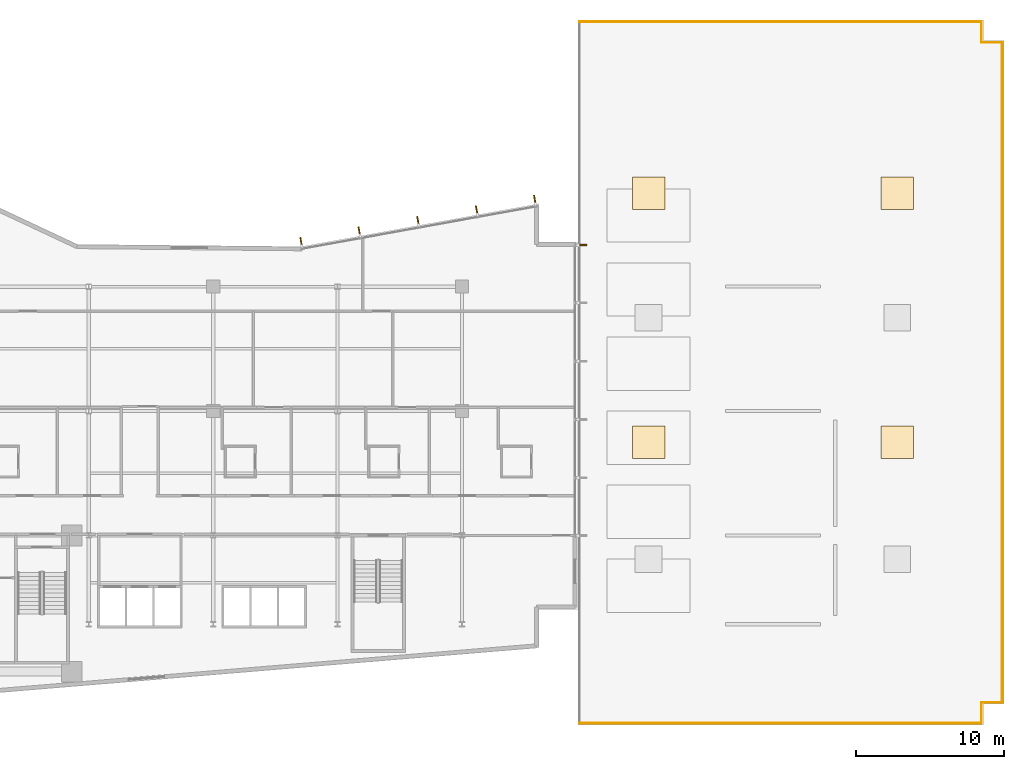
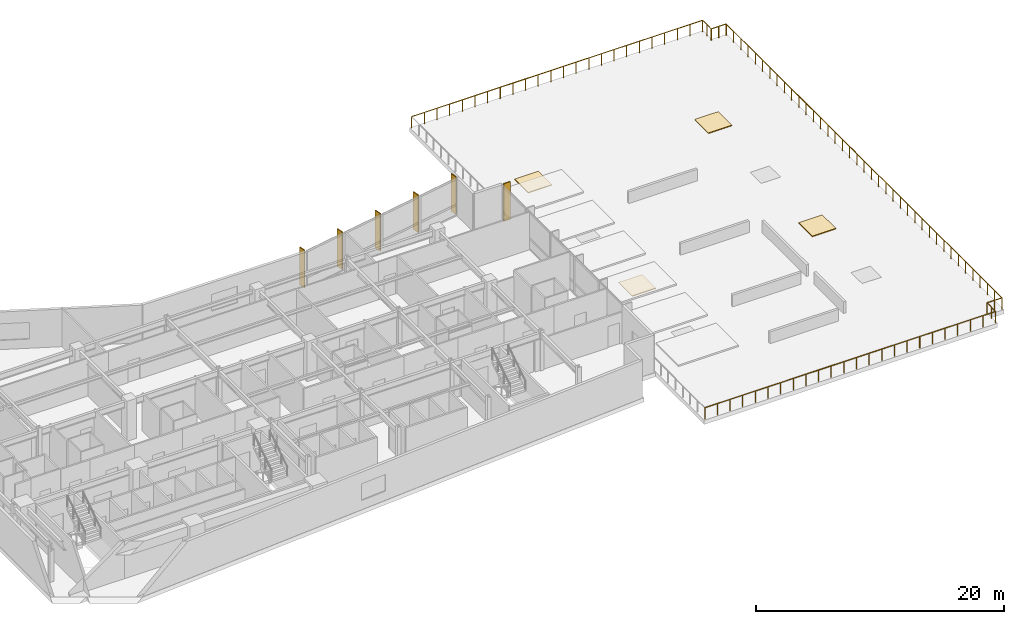
# One storey, part 20 of 20: 7 railings, 6 shading devices, 4 coverings.
"""IFC4 building model written with IfcOpenShell, lengths in metres."""

from ifc_helpers import new_model, si_unit, direction, frame, origin, origin_2d, place, context, subcontext, project, spatial, rectangle, circle, extrude, material, layer, layer_set, type_object, element, save


model = new_model("IFC4")

# Units and contexts
model_context = context("Model", 3, precision=1e-05, world=origin(), true_north=direction((0.0, 1.0)))
body_context = subcontext(model_context, "Body", "Model", "MODEL_VIEW")
ifc_project = project(units=[si_unit("LENGTHUNIT", "METRE"), si_unit("AREAUNIT", "SQUARE_METRE"), si_unit("VOLUMEUNIT", "CUBIC_METRE"), si_unit("PLANEANGLEUNIT", "RADIAN"), si_unit("MASSUNIT", "GRAM", prefix="KILO")], contexts=[model_context])

# Site, building, storey
site_placement = place(None, origin())
site = spatial("IfcSite", under=ifc_project, at=site_placement, CompositionType="ELEMENT")
building_placement = place(site_placement, origin())
building = spatial("IfcBuilding", under=site, at=building_placement, Name="Varnakote Quay Hospital", CompositionType="ELEMENT")
storey_placement = place(building_placement, frame((0.0, 0.0, 22.5)))
storey = spatial("IfcBuildingStorey", under=building, at=storey_placement, Name="L05", CompositionType="ELEMENT", Elevation=22.5)

# Coverings
ifc_material_1 = material(Name="Insulated waterproofing membrane")
ifc_layer_1 = layer(ifc_material_1, 0.080078125)
ifc_layer_set_1 = layer_set([ifc_layer_1], Name="Insulated waterproofing membrane")
covering_type = type_object("IfcCoveringType", Name="COV-ROOF-MEMBRANE-80", PredefinedType="ROOFING", material=ifc_layer_set_1)
for number, where, z_axis, x_axis, name in (
    (1, (63.0, 18.300048828125, 0.0), (0.0, 0.0, 1.0), (1.0, 0.0, 0.0), "L05 Podium Roof Waterproof Membrane 1"),
    (2, (79.800048828125, 18.300048828125, 0.0), (0.0, 0.0, 1.0), (1.0, 0.0, 0.0), "L05 Podium Roof Waterproof Membrane 2"),
    (3, (63.0, 35.10009765625, 0.0), (0.0, 0.0, 1.0), (1.0, 0.0, 0.0), "L05 Podium Roof Waterproof Membrane 3"),
    (4, (79.800048828125, 35.10009765625, 0.0), (0.0, 0.0, 1.0), (1.0, 0.0, 0.0), "L05 Podium Roof Waterproof Membrane 4"),
):
    element("IfcCovering", number, at=place(storey_placement, frame(where, z_axis=z_axis, x_axis=x_axis)), inside=storey, type_object=covering_type, Name=name, PredefinedType="ROOFING", context=body_context, shape_type="SweptSolid", body=[
        extrude(rectangle(XDim=2.199951171875, YDim=2.199951171875, at=origin_2d()), origin(), (0.0, 0.0, 1.0), 0.080078125),
    ])

# Railings
ifc_material_2 = material(Name="Anodised aluminium 6063-T6 Bronze", Category="aluminium")
railing_type = type_object("IfcRailingType", Name="RLG-EXT-GUARD-1150", PredefinedType="GUARDRAIL", material=ifc_material_2)
railing_1_placement = place(storey_placement, frame((85.47998046875, 46.679931640625, 0.0)))
element("IfcRailing", 5, at=railing_1_placement, inside=storey, type_object=railing_type, Name="L05 East Podium Setback Roof Perimeter Safety Guard", PredefinedType="GUARDRAIL", context=body_context, shape_type="SweptSolid", body=[
    extrude(circle(Radius=0.02392578125, at=origin_2d()), frame((0.0, 0.0, 1.1259765625), z_axis=(0.0, -1.0, 0.0), x_axis=(1.0, 0.0, 0.0)), (0.0, 0.0, 1.0), 1.39990234375),
    extrude(circle(Radius=0.02099609375, at=origin_2d()), origin(), (0.0, 0.0, 1.0), 1.101806640625),
    extrude(circle(Radius=0.02099609375, at=origin_2d()), frame((0.0, -0.699951171875, 0.0)), (0.0, 0.0, 1.0), 1.101806640625),
    extrude(circle(Radius=0.02099609375, at=origin_2d()), frame((0.0, -1.39990234375, 0.0)), (0.0, 0.0, 1.0), 1.101806640625),
])
railing_2_placement = place(storey_placement, frame((85.47998046875, 45.280029296875, 0.0)))
element("IfcRailing", 6, at=railing_2_placement, inside=storey, type_object=railing_type, Name="L05 East Podium Setback Roof Perimeter Safety Guard", PredefinedType="GUARDRAIL", context=body_context, shape_type="SweptSolid", body=[
    extrude(circle(Radius=0.02392578125, at=origin_2d()), frame((0.0, 0.0, 1.1259765625), z_axis=(1.0, 0.0, 0.0), x_axis=(0.0, 1.0, 0.0)), (0.0, 0.0, 1.0), 1.39990234375),
    extrude(circle(Radius=0.02099609375, at=origin_2d()), origin(), (0.0, 0.0, 1.0), 1.101806640625),
    extrude(circle(Radius=0.02099609375, at=origin_2d()), frame((0.699951171875, 0.0, 0.0)), (0.0, 0.0, 1.0), 1.101806640625),
    extrude(circle(Radius=0.02099609375, at=origin_2d()), frame((1.39990234375, 0.0, 0.0)), (0.0, 0.0, 1.0), 1.101806640625),
])
railing_3_placement = place(storey_placement, frame((86.8798828125, 45.280029296875, 0.0)))
element("IfcRailing", 7, at=railing_3_placement, inside=storey, type_object=railing_type, Name="L05 East Podium Setback Roof Perimeter Safety Guard", PredefinedType="GUARDRAIL", context=body_context, shape_type="SweptSolid", body=[
    extrude(circle(Radius=0.02392578125, at=origin_2d()), frame((0.0, 0.0, 1.1259765625), z_axis=(0.0, -1.0, 0.0), x_axis=(1.0, 0.0, 0.0)), (0.0, 0.0, 1.0), 44.56005859375),
    extrude(circle(Radius=0.02099609375, at=origin_2d()), origin(), (0.0, 0.0, 1.0), 1.101806640625),
    extrude(circle(Radius=0.02099609375, at=origin_2d()), frame((0.0, -1.172607421875, 0.0)), (0.0, 0.0, 1.0), 1.101806640625),
    extrude(circle(Radius=0.02099609375, at=origin_2d()), frame((0.0, -2.34521484375, 0.0)), (0.0, 0.0, 1.0), 1.101806640625),
    extrude(circle(Radius=0.02099609375, at=origin_2d()), frame((0.0, -3.517822265625, 0.0)), (0.0, 0.0, 1.0), 1.101806640625),
    extrude(circle(Radius=0.02099609375, at=origin_2d()), frame((0.0, -4.6904296875, 0.0)), (0.0, 0.0, 1.0), 1.101806640625),
    extrude(circle(Radius=0.02099609375, at=origin_2d()), frame((0.0, -5.86328125, 0.0)), (0.0, 0.0, 1.0), 1.101806640625),
    extrude(circle(Radius=0.02099609375, at=origin_2d()), frame((0.0, -7.035888671875, 0.0)), (0.0, 0.0, 1.0), 1.101806640625),
    extrude(circle(Radius=0.02099609375, at=origin_2d()), frame((0.0, -8.20849609375, 0.0)), (0.0, 0.0, 1.0), 1.101806640625),
    extrude(circle(Radius=0.02099609375, at=origin_2d()), frame((0.0, -9.381103515625, 0.0)), (0.0, 0.0, 1.0), 1.101806640625),
    extrude(circle(Radius=0.02099609375, at=origin_2d()), frame((0.0, -10.5537109375, 0.0)), (0.0, 0.0, 1.0), 1.101806640625),
    extrude(circle(Radius=0.02099609375, at=origin_2d()), frame((0.0, -11.726318359375, 0.0)), (0.0, 0.0, 1.0), 1.101806640625),
    extrude(circle(Radius=0.02099609375, at=origin_2d()), frame((0.0, -12.89892578125, 0.0)), (0.0, 0.0, 1.0), 1.101806640625),
    extrude(circle(Radius=0.02099609375, at=origin_2d()), frame((0.0, -14.071533203125, 0.0)), (0.0, 0.0, 1.0), 1.101806640625),
    extrude(circle(Radius=0.02099609375, at=origin_2d()), frame((0.0, -15.244140625, 0.0)), (0.0, 0.0, 1.0), 1.101806640625),
    extrude(circle(Radius=0.02099609375, at=origin_2d()), frame((0.0, -16.416748046875, 0.0)), (0.0, 0.0, 1.0), 1.101806640625),
    extrude(circle(Radius=0.02099609375, at=origin_2d()), frame((0.0, -17.589599609375, 0.0)), (0.0, 0.0, 1.0), 1.101806640625),
    extrude(circle(Radius=0.02099609375, at=origin_2d()), frame((0.0, -18.76220703125, 0.0)), (0.0, 0.0, 1.0), 1.101806640625),
    extrude(circle(Radius=0.02099609375, at=origin_2d()), frame((0.0, -19.934814453125, 0.0)), (0.0, 0.0, 1.0), 1.101806640625),
    extrude(circle(Radius=0.02099609375, at=origin_2d()), frame((0.0, -21.107421875, 0.0)), (0.0, 0.0, 1.0), 1.101806640625),
    extrude(circle(Radius=0.02099609375, at=origin_2d()), frame((0.0, -22.280029296875, 0.0)), (0.0, 0.0, 1.0), 1.101806640625),
    extrude(circle(Radius=0.02099609375, at=origin_2d()), frame((0.0, -23.45263671875, 0.0)), (0.0, 0.0, 1.0), 1.101806640625),
    extrude(circle(Radius=0.02099609375, at=origin_2d()), frame((0.0, -24.625244140625, 0.0)), (0.0, 0.0, 1.0), 1.101806640625),
    extrude(circle(Radius=0.02099609375, at=origin_2d()), frame((0.0, -25.7978515625, 0.0)), (0.0, 0.0, 1.0), 1.101806640625),
    extrude(circle(Radius=0.02099609375, at=origin_2d()), frame((0.0, -26.970458984375, 0.0)), (0.0, 0.0, 1.0), 1.101806640625),
    extrude(circle(Radius=0.02099609375, at=origin_2d()), frame((0.0, -28.143310546875, 0.0)), (0.0, 0.0, 1.0), 1.101806640625),
    extrude(circle(Radius=0.02099609375, at=origin_2d()), frame((0.0, -29.31591796875, 0.0)), (0.0, 0.0, 1.0), 1.101806640625),
    extrude(circle(Radius=0.02099609375, at=origin_2d()), frame((0.0, -30.488525390625, 0.0)), (0.0, 0.0, 1.0), 1.101806640625),
    extrude(circle(Radius=0.02099609375, at=origin_2d()), frame((0.0, -31.6611328125, 0.0)), (0.0, 0.0, 1.0), 1.101806640625),
    extrude(circle(Radius=0.02099609375, at=origin_2d()), frame((0.0, -32.833740234375, 0.0)), (0.0, 0.0, 1.0), 1.101806640625),
    extrude(circle(Radius=0.02099609375, at=origin_2d()), frame((0.0, -34.00634765625, 0.0)), (0.0, 0.0, 1.0), 1.101806640625),
    extrude(circle(Radius=0.02099609375, at=origin_2d()), frame((0.0, -35.178955078125, 0.0)), (0.0, 0.0, 1.0), 1.101806640625),
    extrude(circle(Radius=0.02099609375, at=origin_2d()), frame((0.0, -36.3515625, 0.0)), (0.0, 0.0, 1.0), 1.101806640625),
    extrude(circle(Radius=0.02099609375, at=origin_2d()), frame((0.0, -37.524169921875, 0.0)), (0.0, 0.0, 1.0), 1.101806640625),
    extrude(circle(Radius=0.02099609375, at=origin_2d()), frame((0.0, -38.69677734375, 0.0)), (0.0, 0.0, 1.0), 1.101806640625),
    extrude(circle(Radius=0.02099609375, at=origin_2d()), frame((0.0, -39.86962890625, 0.0)), (0.0, 0.0, 1.0), 1.101806640625),
    extrude(circle(Radius=0.02099609375, at=origin_2d()), frame((0.0, -41.042236328125, 0.0)), (0.0, 0.0, 1.0), 1.101806640625),
    extrude(circle(Radius=0.02099609375, at=origin_2d()), frame((0.0, -42.21484375, 0.0)), (0.0, 0.0, 1.0), 1.101806640625),
    extrude(circle(Radius=0.02099609375, at=origin_2d()), frame((0.0, -43.387451171875, 0.0)), (0.0, 0.0, 1.0), 1.101806640625),
    extrude(circle(Radius=0.02099609375, at=origin_2d()), frame((0.0, -44.56005859375, 0.0)), (0.0, 0.0, 1.0), 1.101806640625),
])
railing_4_placement = place(storey_placement, frame((86.8798828125, 0.719970703125, 0.0)))
element("IfcRailing", 8, at=railing_4_placement, inside=storey, type_object=railing_type, Name="L05 East Podium Setback Roof Perimeter Safety Guard", PredefinedType="GUARDRAIL", context=body_context, shape_type="SweptSolid", body=[
    extrude(circle(Radius=0.02392578125, at=origin_2d()), frame((0.0, 0.0, 1.1259765625), z_axis=(-1.0, 0.0, 0.0), x_axis=(0.0, -1.0, 0.0)), (0.0, 0.0, 1.0), 1.39990234375),
    extrude(circle(Radius=0.02099609375, at=origin_2d()), origin(), (0.0, 0.0, 1.0), 1.101806640625),
    extrude(circle(Radius=0.02099609375, at=origin_2d()), frame((-0.699951171875, 0.0, 0.0)), (0.0, 0.0, 1.0), 1.101806640625),
    extrude(circle(Radius=0.02099609375, at=origin_2d()), frame((-1.39990234375, 0.0, 0.0)), (0.0, 0.0, 1.0), 1.101806640625),
])
railing_5_placement = place(storey_placement, frame((85.47998046875, 0.719970703125, 0.0)))
element("IfcRailing", 9, at=railing_5_placement, inside=storey, type_object=railing_type, Name="L05 East Podium Setback Roof Perimeter Safety Guard", PredefinedType="GUARDRAIL", context=body_context, shape_type="SweptSolid", body=[
    extrude(circle(Radius=0.02392578125, at=origin_2d()), frame((0.0, 0.0, 1.1259765625), z_axis=(0.0, -1.0, 0.0), x_axis=(1.0, 0.0, 0.0)), (0.0, 0.0, 1.0), 1.39990234375),
    extrude(circle(Radius=0.02099609375, at=origin_2d()), origin(), (0.0, 0.0, 1.0), 1.101806640625),
    extrude(circle(Radius=0.02099609375, at=origin_2d()), frame((0.0, -0.699951171875, 0.0)), (0.0, 0.0, 1.0), 1.101806640625),
    extrude(circle(Radius=0.02099609375, at=origin_2d()), frame((0.0, -1.39990234375, 0.0)), (0.0, 0.0, 1.0), 1.101806640625),
])
railing_6_placement = place(storey_placement, frame((85.47998046875, -0.679931640625, 0.0)))
element("IfcRailing", 10, at=railing_6_placement, inside=storey, type_object=railing_type, Name="L05 East Podium Setback Roof Perimeter Safety Guard", PredefinedType="GUARDRAIL", context=body_context, shape_type="SweptSolid", body=[
    extrude(circle(Radius=0.02392578125, at=origin_2d()), frame((0.0, 0.0, 1.1259765625), z_axis=(-1.0, 0.0, 0.0), x_axis=(0.0, -1.0, 0.0)), (0.0, 0.0, 1.0), 27.139892578125),
    extrude(circle(Radius=0.02099609375, at=origin_2d()), origin(), (0.0, 0.0, 1.0), 1.101806640625),
    extrude(circle(Radius=0.02099609375, at=origin_2d()), frame((-1.179931640625, 0.0, 0.0)), (0.0, 0.0, 1.0), 1.101806640625),
    extrude(circle(Radius=0.02099609375, at=origin_2d()), frame((-2.360107421875, 0.0, 0.0)), (0.0, 0.0, 1.0), 1.101806640625),
    extrude(circle(Radius=0.02099609375, at=origin_2d()), frame((-3.5400390625, 0.0, 0.0)), (0.0, 0.0, 1.0), 1.101806640625),
    extrude(circle(Radius=0.02099609375, at=origin_2d()), frame((-4.719970703125, 0.0, 0.0)), (0.0, 0.0, 1.0), 1.101806640625),
    extrude(circle(Radius=0.02099609375, at=origin_2d()), frame((-5.89990234375, 0.0, 0.0)), (0.0, 0.0, 1.0), 1.101806640625),
    extrude(circle(Radius=0.02099609375, at=origin_2d()), frame((-7.080078125, 0.0, 0.0)), (0.0, 0.0, 1.0), 1.101806640625),
    extrude(circle(Radius=0.02099609375, at=origin_2d()), frame((-8.260009765625, 0.0, 0.0)), (0.0, 0.0, 1.0), 1.101806640625),
    extrude(circle(Radius=0.02099609375, at=origin_2d()), frame((-9.43994140625, 0.0, 0.0)), (0.0, 0.0, 1.0), 1.101806640625),
    extrude(circle(Radius=0.02099609375, at=origin_2d()), frame((-10.619873046875, 0.0, 0.0)), (0.0, 0.0, 1.0), 1.101806640625),
    extrude(circle(Radius=0.02099609375, at=origin_2d()), frame((-11.800048828125, 0.0, 0.0)), (0.0, 0.0, 1.0), 1.101806640625),
    extrude(circle(Radius=0.02099609375, at=origin_2d()), frame((-12.97998046875, 0.0, 0.0)), (0.0, 0.0, 1.0), 1.101806640625),
    extrude(circle(Radius=0.02099609375, at=origin_2d()), frame((-14.159912109375, 0.0, 0.0)), (0.0, 0.0, 1.0), 1.101806640625),
    extrude(circle(Radius=0.02099609375, at=origin_2d()), frame((-15.33984375, 0.0, 0.0)), (0.0, 0.0, 1.0), 1.101806640625),
    extrude(circle(Radius=0.02099609375, at=origin_2d()), frame((-16.52001953125, 0.0, 0.0)), (0.0, 0.0, 1.0), 1.101806640625),
    extrude(circle(Radius=0.02099609375, at=origin_2d()), frame((-17.699951171875, 0.0, 0.0)), (0.0, 0.0, 1.0), 1.101806640625),
    extrude(circle(Radius=0.02099609375, at=origin_2d()), frame((-18.8798828125, 0.0, 0.0)), (0.0, 0.0, 1.0), 1.101806640625),
    extrude(circle(Radius=0.02099609375, at=origin_2d()), frame((-20.059814453125, 0.0, 0.0)), (0.0, 0.0, 1.0), 1.101806640625),
    extrude(circle(Radius=0.02099609375, at=origin_2d()), frame((-21.239990234375, 0.0, 0.0)), (0.0, 0.0, 1.0), 1.101806640625),
    extrude(circle(Radius=0.02099609375, at=origin_2d()), frame((-22.419921875, 0.0, 0.0)), (0.0, 0.0, 1.0), 1.101806640625),
    extrude(circle(Radius=0.02099609375, at=origin_2d()), frame((-23.599853515625, 0.0, 0.0)), (0.0, 0.0, 1.0), 1.101806640625),
    extrude(circle(Radius=0.02099609375, at=origin_2d()), frame((-24.77978515625, 0.0, 0.0)), (0.0, 0.0, 1.0), 1.101806640625),
    extrude(circle(Radius=0.02099609375, at=origin_2d()), frame((-25.9599609375, 0.0, 0.0)), (0.0, 0.0, 1.0), 1.101806640625),
    extrude(circle(Radius=0.02099609375, at=origin_2d()), frame((-27.139892578125, 0.0, 0.0)), (0.0, 0.0, 1.0), 1.101806640625),
])
railing_7_placement = place(storey_placement, frame((58.340087890625, 46.679931640625, 0.0)))
element("IfcRailing", 11, at=railing_7_placement, inside=storey, type_object=railing_type, Name="L05 East Podium Setback Roof Perimeter Safety Guard", PredefinedType="GUARDRAIL", context=body_context, shape_type="SweptSolid", body=[
    extrude(circle(Radius=0.02392578125, at=origin_2d()), frame((0.0, 0.0, 1.1259765625), z_axis=(1.0, 0.0, 0.0), x_axis=(0.0, 1.0, 0.0)), (0.0, 0.0, 1.0), 27.139892578125),
    extrude(circle(Radius=0.02099609375, at=origin_2d()), origin(), (0.0, 0.0, 1.0), 1.101806640625),
    extrude(circle(Radius=0.02099609375, at=origin_2d()), frame((1.179931640625, 0.0, 0.0)), (0.0, 0.0, 1.0), 1.101806640625),
    extrude(circle(Radius=0.02099609375, at=origin_2d()), frame((2.360107421875, 0.0, 0.0)), (0.0, 0.0, 1.0), 1.101806640625),
    extrude(circle(Radius=0.02099609375, at=origin_2d()), frame((3.5400390625, 0.0, 0.0)), (0.0, 0.0, 1.0), 1.101806640625),
    extrude(circle(Radius=0.02099609375, at=origin_2d()), frame((4.719970703125, 0.0, 0.0)), (0.0, 0.0, 1.0), 1.101806640625),
    extrude(circle(Radius=0.02099609375, at=origin_2d()), frame((5.89990234375, 0.0, 0.0)), (0.0, 0.0, 1.0), 1.101806640625),
    extrude(circle(Radius=0.02099609375, at=origin_2d()), frame((7.080078125, 0.0, 0.0)), (0.0, 0.0, 1.0), 1.101806640625),
    extrude(circle(Radius=0.02099609375, at=origin_2d()), frame((8.260009765625, 0.0, 0.0)), (0.0, 0.0, 1.0), 1.101806640625),
    extrude(circle(Radius=0.02099609375, at=origin_2d()), frame((9.43994140625, 0.0, 0.0)), (0.0, 0.0, 1.0), 1.101806640625),
    extrude(circle(Radius=0.02099609375, at=origin_2d()), frame((10.619873046875, 0.0, 0.0)), (0.0, 0.0, 1.0), 1.101806640625),
    extrude(circle(Radius=0.02099609375, at=origin_2d()), frame((11.800048828125, 0.0, 0.0)), (0.0, 0.0, 1.0), 1.101806640625),
    extrude(circle(Radius=0.02099609375, at=origin_2d()), frame((12.97998046875, 0.0, 0.0)), (0.0, 0.0, 1.0), 1.101806640625),
    extrude(circle(Radius=0.02099609375, at=origin_2d()), frame((14.159912109375, 0.0, 0.0)), (0.0, 0.0, 1.0), 1.101806640625),
    extrude(circle(Radius=0.02099609375, at=origin_2d()), frame((15.33984375, 0.0, 0.0)), (0.0, 0.0, 1.0), 1.101806640625),
    extrude(circle(Radius=0.02099609375, at=origin_2d()), frame((16.52001953125, 0.0, 0.0)), (0.0, 0.0, 1.0), 1.101806640625),
    extrude(circle(Radius=0.02099609375, at=origin_2d()), frame((17.699951171875, 0.0, 0.0)), (0.0, 0.0, 1.0), 1.101806640625),
    extrude(circle(Radius=0.02099609375, at=origin_2d()), frame((18.8798828125, 0.0, 0.0)), (0.0, 0.0, 1.0), 1.101806640625),
    extrude(circle(Radius=0.02099609375, at=origin_2d()), frame((20.059814453125, 0.0, 0.0)), (0.0, 0.0, 1.0), 1.101806640625),
    extrude(circle(Radius=0.02099609375, at=origin_2d()), frame((21.239990234375, 0.0, 0.0)), (0.0, 0.0, 1.0), 1.101806640625),
    extrude(circle(Radius=0.02099609375, at=origin_2d()), frame((22.419921875, 0.0, 0.0)), (0.0, 0.0, 1.0), 1.101806640625),
    extrude(circle(Radius=0.02099609375, at=origin_2d()), frame((23.599853515625, 0.0, 0.0)), (0.0, 0.0, 1.0), 1.101806640625),
    extrude(circle(Radius=0.02099609375, at=origin_2d()), frame((24.77978515625, 0.0, 0.0)), (0.0, 0.0, 1.0), 1.101806640625),
    extrude(circle(Radius=0.02099609375, at=origin_2d()), frame((25.9599609375, 0.0, 0.0)), (0.0, 0.0, 1.0), 1.101806640625),
    extrude(circle(Radius=0.02099609375, at=origin_2d()), frame((27.139892578125, 0.0, 0.0)), (0.0, 0.0, 1.0), 1.101806640625),
])

# Shading devices
ifc_material_3 = material(Name="Anodised aluminium 6063-T6 Bronze", Category="aluminium")
ifc_layer_2 = layer(ifc_material_3, 0.0849609375)
ifc_layer_set_2 = layer_set([ifc_layer_2], Name="Anodised aluminium 6063-T6 Bronze")
shading_device_type = type_object("IfcShadingDeviceType", Name="SHD-BRONZE-FIN-620", PredefinedType="USERDEFINED", material=ifc_layer_set_2)
for number, where, z_axis, x_axis, name in (
    (12, (58.510009765625, 31.6025390625, 0.0), (0.0, 0.0, 1.0), (-1.0, 0.0, 0.0), "L05 Anodised Bronze Vertical Shading FIN"),
    (13, (55.319580078125, 34.664306640625, 0.0), (0.0, 0.0, 1.0), (0.177771795263, -0.984071739666, 0.0), "L05 Anodised Bronze Vertical Shading FIN"),
    (14, (51.393798828125, 33.954833984375, 0.0), (0.0, 0.0, 1.0), (0.177771795263, -0.984071739666, 0.0), "L05 Anodised Bronze Vertical Shading FIN"),
    (15, (47.43115234375, 33.23876953125, 0.0), (0.0, 0.0, 1.0), (0.177771795263, -0.984071739666, 0.0), "L05 Anodised Bronze Vertical Shading FIN"),
    (16, (43.468505859375, 32.522705078125, 0.0), (0.0, 0.0, 1.0), (0.177771795263, -0.984071739666, 0.0), "L05 Anodised Bronze Vertical Shading FIN"),
    (17, (39.54296875, 31.81298828125, 0.0), (0.0, 0.0, 1.0), (0.177771795263, -0.984071739666, 0.0), "L05 Anodised Bronze Vertical Shading FIN"),
):
    element("IfcShadingDevice", number, at=place(storey_placement, frame(where, z_axis=z_axis, x_axis=x_axis)), inside=storey, type_object=shading_device_type, Name=name, ObjectType="FIN", PredefinedType="USERDEFINED", context=body_context, shape_type="SweptSolid", body=[
        extrude(rectangle(XDim=0.6201171875, YDim=0.0849609375, at=origin_2d()), origin(), (0.0, 0.0, 1.0), 3.7099609375),
    ])

save(model, "model.ifc")
